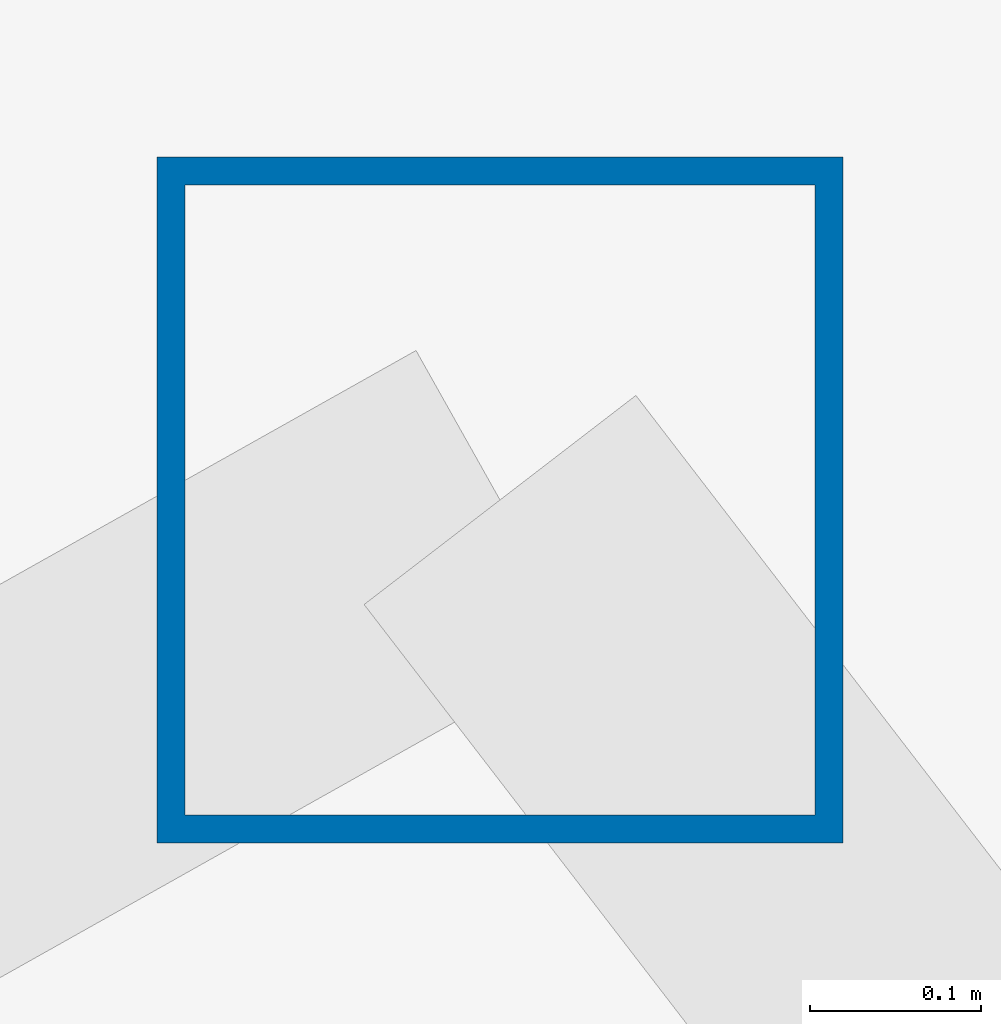
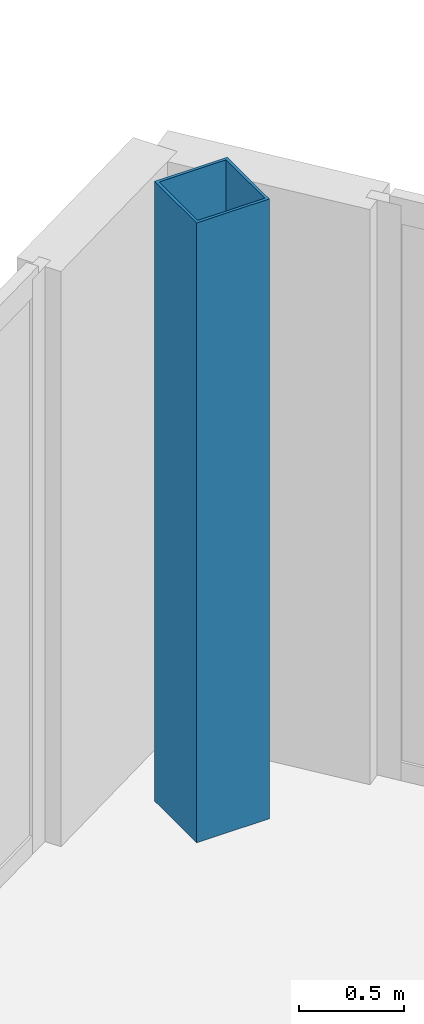
# One storey, part 2 of 26: 1 column.
"""IFC4 building model written with IfcOpenShell, lengths in metres."""

from ifc_helpers import new_model, si_unit, direction, frame, origin, origin_2d, place, context, subcontext, project, spatial, hollow_rectangle, extrude, source, transform, mapped, material, material_profile, profile_set, type_object, type_shapes, element, save


model = new_model("IFC4")

# Units and contexts
model_context = context("Model", 3, precision=1e-05, world=origin(), true_north=direction((0.0, 1.0)))
body_context = subcontext(model_context, "Body", "Model", "MODEL_VIEW")
ifc_project = project(units=[si_unit("LENGTHUNIT", "METRE"), si_unit("AREAUNIT", "SQUARE_METRE"), si_unit("VOLUMEUNIT", "CUBIC_METRE"), si_unit("PLANEANGLEUNIT", "RADIAN"), si_unit("MASSUNIT", "GRAM", prefix="KILO")], contexts=[model_context])

# Site, building, storey
site_placement = place(None, origin())
site = spatial("IfcSite", under=ifc_project, at=site_placement, CompositionType="ELEMENT")
building_placement = place(site_placement, origin())
building = spatial("IfcBuilding", under=site, at=building_placement, Name="Seokmaru Belvedere", CompositionType="ELEMENT")
storey_placement = place(building_placement, frame((0.0, 0.0, 221.10009765625)))
storey = spatial("IfcBuildingStorey", under=building, at=storey_placement, Name="L59", CompositionType="ELEMENT", Elevation=221.10009765625)

# Column
ifc_material = material(Name="Steel SM355 (355 MPa)", Category="steel")
ifc_material_profile = material_profile(ifc_material, hollow_rectangle(XDim=0.39990234375, YDim=0.39990234375, WallThickness=0.01611328125, at=origin_2d()), Name="HSS-400x400x16")
ifc_profile_set = profile_set([ifc_material_profile], Name="Steel SM355 (355 MPa)")
column_type = type_object("IfcColumnType", Name="Perimeter Facet Column HSS-400", PredefinedType="COLUMN", material=ifc_profile_set)
shared_shape = source(origin(), body_context, "Body", "SweptSolid", [
    extrude(hollow_rectangle(XDim=0.39990234375, YDim=0.39990234375, WallThickness=0.01611328125, at=origin_2d()), origin(), (0.0, 0.0, 1.0), 3.599853515625),
])
type_shapes(column_type, [shared_shape])
column_placement = place(storey_placement, frame((-32.649658203125, 21.71044921875, 0.0), z_axis=(0.0, 0.0, 1.0), x_axis=(1.0, 0.0, 0.0)))
element("IfcColumn", 1, at=column_placement, inside=storey, type_object=column_type, Name="L59 Column WF3", PredefinedType="COLUMN", context=body_context, shape_type="MappedRepresentation", body=[
    mapped(shared_shape, transform((0.0, 0.0, 0.0), scale=1.0)),
])

save(model, "model.ifc")
